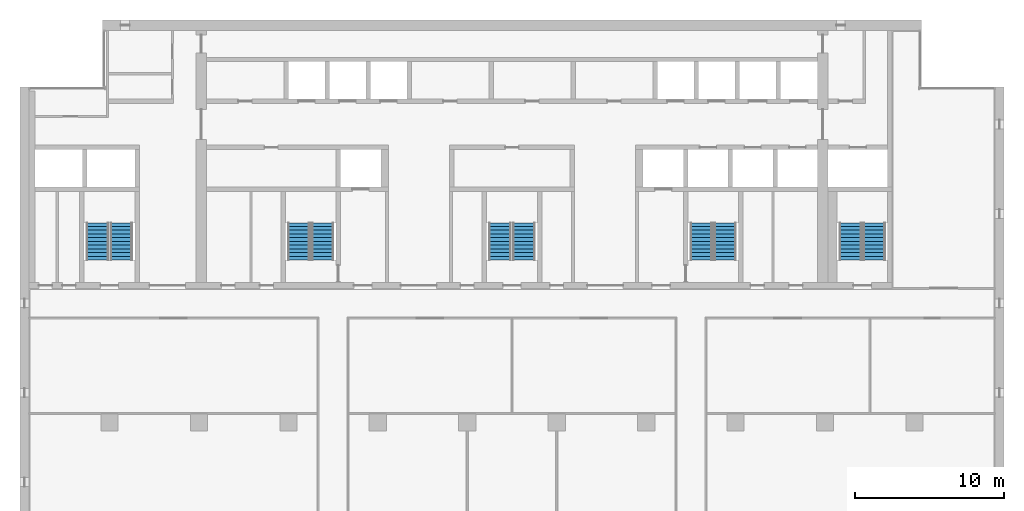
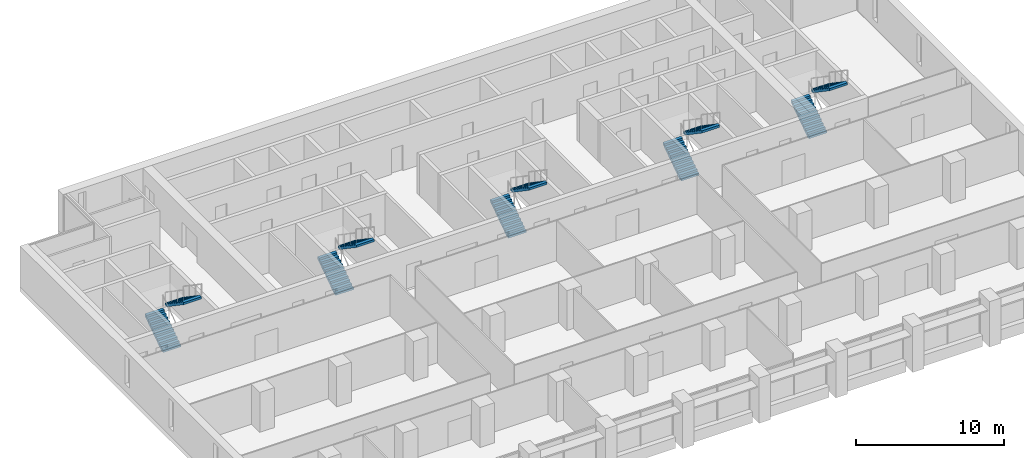
# One storey, part 13 of 17: 10 stair flights, 5 elements without a shape of their own.
"""IFC4 building model written with IfcOpenShell, lengths in metres."""

from ifc_helpers import new_model, si_unit, direction, frame, origin, place, context, subcontext, project, spatial, polyline, outline, extrude, material, type_object, element, aggregate, save


model = new_model("IFC4")

# Units and contexts
model_context = context("Model", 3, precision=1e-05, world=origin(), true_north=direction((0.0, 1.0)))
body_context = subcontext(model_context, "Body", "Model", "MODEL_VIEW")
ifc_project = project(units=[si_unit("LENGTHUNIT", "METRE"), si_unit("AREAUNIT", "SQUARE_METRE"), si_unit("VOLUMEUNIT", "CUBIC_METRE"), si_unit("PLANEANGLEUNIT", "RADIAN"), si_unit("MASSUNIT", "GRAM", prefix="KILO")], contexts=[model_context])

# Site, building, storey
site_placement = place(None, origin())
site = spatial("IfcSite", under=ifc_project, at=site_placement, CompositionType="ELEMENT")
building_placement = place(site_placement, origin())
building = spatial("IfcBuilding", under=site, at=building_placement, Name="Calvaro Tower", CompositionType="ELEMENT")
storey_placement = place(building_placement, frame((0.0, 0.0, 185.5)))
storey = spatial("IfcBuildingStorey", under=building, at=storey_placement, Name="L46", CompositionType="ELEMENT", Elevation=185.5)

# Stair, stair flights
ifc_material_1 = material(Name="Concrete C40/50", Category="concrete")
stair_type = type_object("IfcStairType", Name="Exit stair 1400 2 flights", PredefinedType="HALF_TURN_STAIR", material=ifc_material_1)
stair_1_placement = place(storey_placement, origin())
stair_1 = element("IfcStair", 1, at=stair_1_placement, inside=storey, type_object=stair_type, Name="Exit stair S1", PredefinedType="HALF_TURN_STAIR")
ifc_material_2 = material(Name="Concrete C40/50", Category="concrete")
stair_flight_type = type_object("IfcStairFlightType", Name="Stair flight", PredefinedType="STRAIGHT", material=ifc_material_2)
stair_flight_1_placement = place(storey_placement, frame((11.199951171875, 29.89990234375, 0.0), z_axis=(0.0, 0.0, 1.0), x_axis=(0.0, 1.0, 0.0)))
stair_flight_1 = element("IfcStairFlight", 2, at=stair_flight_1_placement, type_object=stair_flight_type, Name="Exit stair 1, flight 1", NumberOfRisers=11, NumberOfTreads=10, PredefinedType="STRAIGHT", RiserHeight=0.170454545, TreadLength=0.25, context=body_context, shape_type="SweptSolid", body=[
    extrude(outline(polyline([(0.0, 0.0), (0.0, 0.17041015625), (0.25, 0.17041015625), (0.25, 0.3408203125), (0.5, 0.3408203125), (0.5, 0.511474609375), (0.75, 0.511474609375), (0.75, 0.681884765625), (1.0, 0.681884765625), (1.0, 0.852294921875), (1.25, 0.852294921875), (1.25, 1.022705078125), (1.5, 1.022705078125), (1.5, 1.193115234375), (1.75, 1.193115234375), (1.75, 1.363525390625), (2.0, 1.363525390625), (2.0, 1.5341796875), (2.25, 1.5341796875), (2.25, 1.70458984375), (2.5, 1.70458984375), (2.5, 1.875), (2.5, 1.523193359375), (0.26611328125, 0.0), (0.0, 0.0)])), frame((0.0, 0.699951171875, 0.0), z_axis=(0.0, -1.0, 0.0), x_axis=(1.0, 0.0, 0.0)), (0.0, 0.0, 1.0), 1.39990234375),
])
stair_flight_2_placement = place(storey_placement, frame((12.800048828125, 32.39990234375, 1.875), z_axis=(0.0, 0.0, 1.0), x_axis=(0.0, -1.0, 0.0)))
stair_flight_2 = element("IfcStairFlight", 3, at=stair_flight_2_placement, type_object=stair_flight_type, Name="Exit stair 1, flight 2", NumberOfRisers=11, NumberOfTreads=10, PredefinedType="STRAIGHT", RiserHeight=0.170454545, TreadLength=0.25, context=body_context, shape_type="SweptSolid", body=[
    extrude(outline(polyline([(0.0, 0.0), (0.0, 0.17041015625), (0.25, 0.17041015625), (0.25, 0.3408203125), (0.5, 0.3408203125), (0.5, 0.511474609375), (0.75, 0.511474609375), (0.75, 0.681884765625), (1.0, 0.681884765625), (1.0, 0.852294921875), (1.25, 0.852294921875), (1.25, 1.022705078125), (1.5, 1.022705078125), (1.5, 1.193115234375), (1.75, 1.193115234375), (1.75, 1.363525390625), (2.0, 1.363525390625), (2.0, 1.5341796875), (2.25, 1.5341796875), (2.25, 1.70458984375), (2.5, 1.70458984375), (2.5, 1.875), (2.5, 1.523193359375), (0.26611328125, 0.0), (0.0, 0.0)])), frame((0.0, 0.699951171875, 0.0), z_axis=(0.0, -1.0, 0.0), x_axis=(1.0, 0.0, 0.0)), (0.0, 0.0, 1.0), 1.39990234375),
])
aggregate(stair_1, [stair_flight_1, stair_flight_2])

stair_2_placement = place(storey_placement, origin())
stair_2 = element("IfcStair", 4, at=stair_2_placement, inside=storey, type_object=stair_type, Name="Exit stair S2", PredefinedType="HALF_TURN_STAIR")
stair_flight_3_placement = place(storey_placement, frame((24.699951171875, 29.89990234375, 0.0), z_axis=(0.0, 0.0, 1.0), x_axis=(0.0, 1.0, 0.0)))
stair_flight_3 = element("IfcStairFlight", 5, at=stair_flight_3_placement, type_object=stair_flight_type, Name="Exit stair 2, flight 1", NumberOfRisers=11, NumberOfTreads=10, PredefinedType="STRAIGHT", RiserHeight=0.170454545, TreadLength=0.25, context=body_context, shape_type="SweptSolid", body=[
    extrude(outline(polyline([(0.0, 0.0), (0.0, 0.17041015625), (0.25, 0.17041015625), (0.25, 0.3408203125), (0.5, 0.3408203125), (0.5, 0.511474609375), (0.75, 0.511474609375), (0.75, 0.681884765625), (1.0, 0.681884765625), (1.0, 0.852294921875), (1.25, 0.852294921875), (1.25, 1.022705078125), (1.5, 1.022705078125), (1.5, 1.193115234375), (1.75, 1.193115234375), (1.75, 1.363525390625), (2.0, 1.363525390625), (2.0, 1.5341796875), (2.25, 1.5341796875), (2.25, 1.70458984375), (2.5, 1.70458984375), (2.5, 1.875), (2.5, 1.523193359375), (0.26611328125, 0.0), (0.0, 0.0)])), frame((0.0, 0.699951171875, 0.0), z_axis=(0.0, -1.0, 0.0), x_axis=(1.0, 0.0, 0.0)), (0.0, 0.0, 1.0), 1.39990234375),
])
stair_flight_4_placement = place(storey_placement, frame((26.300048828125, 32.39990234375, 1.875), z_axis=(0.0, 0.0, 1.0), x_axis=(0.0, -1.0, 0.0)))
stair_flight_4 = element("IfcStairFlight", 6, at=stair_flight_4_placement, type_object=stair_flight_type, Name="Exit stair 2, flight 2", NumberOfRisers=11, NumberOfTreads=10, PredefinedType="STRAIGHT", RiserHeight=0.170454545, TreadLength=0.25, context=body_context, shape_type="SweptSolid", body=[
    extrude(outline(polyline([(0.0, 0.0), (0.0, 0.17041015625), (0.25, 0.17041015625), (0.25, 0.3408203125), (0.5, 0.3408203125), (0.5, 0.511474609375), (0.75, 0.511474609375), (0.75, 0.681884765625), (1.0, 0.681884765625), (1.0, 0.852294921875), (1.25, 0.852294921875), (1.25, 1.022705078125), (1.5, 1.022705078125), (1.5, 1.193115234375), (1.75, 1.193115234375), (1.75, 1.363525390625), (2.0, 1.363525390625), (2.0, 1.5341796875), (2.25, 1.5341796875), (2.25, 1.70458984375), (2.5, 1.70458984375), (2.5, 1.875), (2.5, 1.523193359375), (0.26611328125, 0.0), (0.0, 0.0)])), frame((0.0, 0.699951171875, 0.0), z_axis=(0.0, -1.0, 0.0), x_axis=(1.0, 0.0, 0.0)), (0.0, 0.0, 1.0), 1.39990234375),
])
aggregate(stair_2, [stair_flight_3, stair_flight_4])

stair_3_placement = place(storey_placement, origin())
stair_3 = element("IfcStair", 7, at=stair_3_placement, inside=storey, type_object=stair_type, Name="Exit stair S3", PredefinedType="HALF_TURN_STAIR")
stair_flight_5_placement = place(storey_placement, frame((38.199951171875, 29.89990234375, 0.0), z_axis=(0.0, 0.0, 1.0), x_axis=(0.0, 1.0, 0.0)))
stair_flight_5 = element("IfcStairFlight", 8, at=stair_flight_5_placement, type_object=stair_flight_type, Name="Exit stair 3, flight 1", NumberOfRisers=11, NumberOfTreads=10, PredefinedType="STRAIGHT", RiserHeight=0.170454545, TreadLength=0.25, context=body_context, shape_type="SweptSolid", body=[
    extrude(outline(polyline([(0.0, 0.0), (0.0, 0.17041015625), (0.25, 0.17041015625), (0.25, 0.3408203125), (0.5, 0.3408203125), (0.5, 0.511474609375), (0.75, 0.511474609375), (0.75, 0.681884765625), (1.0, 0.681884765625), (1.0, 0.852294921875), (1.25, 0.852294921875), (1.25, 1.022705078125), (1.5, 1.022705078125), (1.5, 1.193115234375), (1.75, 1.193115234375), (1.75, 1.363525390625), (2.0, 1.363525390625), (2.0, 1.5341796875), (2.25, 1.5341796875), (2.25, 1.70458984375), (2.5, 1.70458984375), (2.5, 1.875), (2.5, 1.523193359375), (0.26611328125, 0.0), (0.0, 0.0)])), frame((0.0, 0.699951171875, 0.0), z_axis=(0.0, -1.0, 0.0), x_axis=(1.0, 0.0, 0.0)), (0.0, 0.0, 1.0), 1.39990234375),
])
stair_flight_6_placement = place(storey_placement, frame((39.800048828125, 32.39990234375, 1.875), z_axis=(0.0, 0.0, 1.0), x_axis=(0.0, -1.0, 0.0)))
stair_flight_6 = element("IfcStairFlight", 9, at=stair_flight_6_placement, type_object=stair_flight_type, Name="Exit stair 3, flight 2", NumberOfRisers=11, NumberOfTreads=10, PredefinedType="STRAIGHT", RiserHeight=0.170454545, TreadLength=0.25, context=body_context, shape_type="SweptSolid", body=[
    extrude(outline(polyline([(0.0, 0.0), (0.0, 0.17041015625), (0.25, 0.17041015625), (0.25, 0.3408203125), (0.5, 0.3408203125), (0.5, 0.511474609375), (0.75, 0.511474609375), (0.75, 0.681884765625), (1.0, 0.681884765625), (1.0, 0.852294921875), (1.25, 0.852294921875), (1.25, 1.022705078125), (1.5, 1.022705078125), (1.5, 1.193115234375), (1.75, 1.193115234375), (1.75, 1.363525390625), (2.0, 1.363525390625), (2.0, 1.5341796875), (2.25, 1.5341796875), (2.25, 1.70458984375), (2.5, 1.70458984375), (2.5, 1.875), (2.5, 1.523193359375), (0.26611328125, 0.0), (0.0, 0.0)])), frame((0.0, 0.699951171875, 0.0), z_axis=(0.0, -1.0, 0.0), x_axis=(1.0, 0.0, 0.0)), (0.0, 0.0, 1.0), 1.39990234375),
])
aggregate(stair_3, [stair_flight_5, stair_flight_6])

stair_4_placement = place(storey_placement, origin())
stair_4 = element("IfcStair", 10, at=stair_4_placement, inside=storey, type_object=stair_type, Name="Exit stair S4", PredefinedType="HALF_TURN_STAIR")
stair_flight_7_placement = place(storey_placement, frame((51.699951171875, 29.89990234375, 0.0), z_axis=(0.0, 0.0, 1.0), x_axis=(0.0, 1.0, 0.0)))
stair_flight_7 = element("IfcStairFlight", 11, at=stair_flight_7_placement, type_object=stair_flight_type, Name="Exit stair 4, flight 1", NumberOfRisers=11, NumberOfTreads=10, PredefinedType="STRAIGHT", RiserHeight=0.170454545, TreadLength=0.25, context=body_context, shape_type="SweptSolid", body=[
    extrude(outline(polyline([(0.0, 0.0), (0.0, 0.17041015625), (0.25, 0.17041015625), (0.25, 0.3408203125), (0.5, 0.3408203125), (0.5, 0.511474609375), (0.75, 0.511474609375), (0.75, 0.681884765625), (1.0, 0.681884765625), (1.0, 0.852294921875), (1.25, 0.852294921875), (1.25, 1.022705078125), (1.5, 1.022705078125), (1.5, 1.193115234375), (1.75, 1.193115234375), (1.75, 1.363525390625), (2.0, 1.363525390625), (2.0, 1.5341796875), (2.25, 1.5341796875), (2.25, 1.70458984375), (2.5, 1.70458984375), (2.5, 1.875), (2.5, 1.523193359375), (0.26611328125, 0.0), (0.0, 0.0)])), frame((0.0, 0.699951171875, 0.0), z_axis=(0.0, -1.0, 0.0), x_axis=(1.0, 0.0, 0.0)), (0.0, 0.0, 1.0), 1.39990234375),
])
stair_flight_8_placement = place(storey_placement, frame((53.300048828125, 32.39990234375, 1.875), z_axis=(0.0, 0.0, 1.0), x_axis=(0.0, -1.0, 0.0)))
stair_flight_8 = element("IfcStairFlight", 12, at=stair_flight_8_placement, type_object=stair_flight_type, Name="Exit stair 4, flight 2", NumberOfRisers=11, NumberOfTreads=10, PredefinedType="STRAIGHT", RiserHeight=0.170454545, TreadLength=0.25, context=body_context, shape_type="SweptSolid", body=[
    extrude(outline(polyline([(0.0, 0.0), (0.0, 0.17041015625), (0.25, 0.17041015625), (0.25, 0.3408203125), (0.5, 0.3408203125), (0.5, 0.511474609375), (0.75, 0.511474609375), (0.75, 0.681884765625), (1.0, 0.681884765625), (1.0, 0.852294921875), (1.25, 0.852294921875), (1.25, 1.022705078125), (1.5, 1.022705078125), (1.5, 1.193115234375), (1.75, 1.193115234375), (1.75, 1.363525390625), (2.0, 1.363525390625), (2.0, 1.5341796875), (2.25, 1.5341796875), (2.25, 1.70458984375), (2.5, 1.70458984375), (2.5, 1.875), (2.5, 1.523193359375), (0.26611328125, 0.0), (0.0, 0.0)])), frame((0.0, 0.699951171875, 0.0), z_axis=(0.0, -1.0, 0.0), x_axis=(1.0, 0.0, 0.0)), (0.0, 0.0, 1.0), 1.39990234375),
])
aggregate(stair_4, [stair_flight_7, stair_flight_8])

stair_5_placement = place(storey_placement, origin())
stair_5 = element("IfcStair", 13, at=stair_5_placement, inside=storey, type_object=stair_type, Name="Exit stair S5", PredefinedType="HALF_TURN_STAIR")
stair_flight_9_placement = place(storey_placement, frame((61.699951171875, 29.89990234375, 0.0), z_axis=(0.0, 0.0, 1.0), x_axis=(0.0, 1.0, 0.0)))
stair_flight_9 = element("IfcStairFlight", 14, at=stair_flight_9_placement, type_object=stair_flight_type, Name="Exit stair 5, flight 1", NumberOfRisers=11, NumberOfTreads=10, PredefinedType="STRAIGHT", RiserHeight=0.170454545, TreadLength=0.25, context=body_context, shape_type="SweptSolid", body=[
    extrude(outline(polyline([(0.0, 0.0), (0.0, 0.17041015625), (0.25, 0.17041015625), (0.25, 0.3408203125), (0.5, 0.3408203125), (0.5, 0.511474609375), (0.75, 0.511474609375), (0.75, 0.681884765625), (1.0, 0.681884765625), (1.0, 0.852294921875), (1.25, 0.852294921875), (1.25, 1.022705078125), (1.5, 1.022705078125), (1.5, 1.193115234375), (1.75, 1.193115234375), (1.75, 1.363525390625), (2.0, 1.363525390625), (2.0, 1.5341796875), (2.25, 1.5341796875), (2.25, 1.70458984375), (2.5, 1.70458984375), (2.5, 1.875), (2.5, 1.523193359375), (0.26611328125, 0.0), (0.0, 0.0)])), frame((0.0, 0.699951171875, 0.0), z_axis=(0.0, -1.0, 0.0), x_axis=(1.0, 0.0, 0.0)), (0.0, 0.0, 1.0), 1.39990234375),
])
stair_flight_10_placement = place(storey_placement, frame((63.300048828125, 32.39990234375, 1.875), z_axis=(0.0, 0.0, 1.0), x_axis=(0.0, -1.0, 0.0)))
stair_flight_10 = element("IfcStairFlight", 15, at=stair_flight_10_placement, type_object=stair_flight_type, Name="Exit stair 5, flight 2", NumberOfRisers=11, NumberOfTreads=10, PredefinedType="STRAIGHT", RiserHeight=0.170454545, TreadLength=0.25, context=body_context, shape_type="SweptSolid", body=[
    extrude(outline(polyline([(0.0, 0.0), (0.0, 0.17041015625), (0.25, 0.17041015625), (0.25, 0.3408203125), (0.5, 0.3408203125), (0.5, 0.511474609375), (0.75, 0.511474609375), (0.75, 0.681884765625), (1.0, 0.681884765625), (1.0, 0.852294921875), (1.25, 0.852294921875), (1.25, 1.022705078125), (1.5, 1.022705078125), (1.5, 1.193115234375), (1.75, 1.193115234375), (1.75, 1.363525390625), (2.0, 1.363525390625), (2.0, 1.5341796875), (2.25, 1.5341796875), (2.25, 1.70458984375), (2.5, 1.70458984375), (2.5, 1.875), (2.5, 1.523193359375), (0.26611328125, 0.0), (0.0, 0.0)])), frame((0.0, 0.699951171875, 0.0), z_axis=(0.0, -1.0, 0.0), x_axis=(1.0, 0.0, 0.0)), (0.0, 0.0, 1.0), 1.39990234375),
])
aggregate(stair_5, [stair_flight_9, stair_flight_10])

save(model, "model.ifc")
